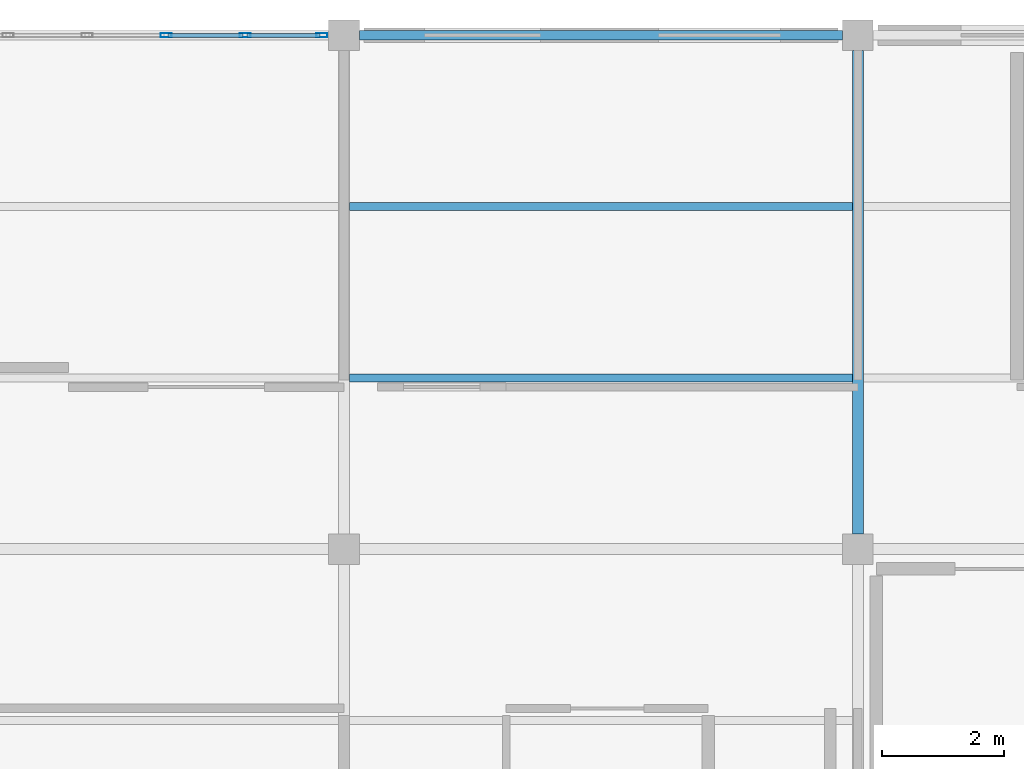
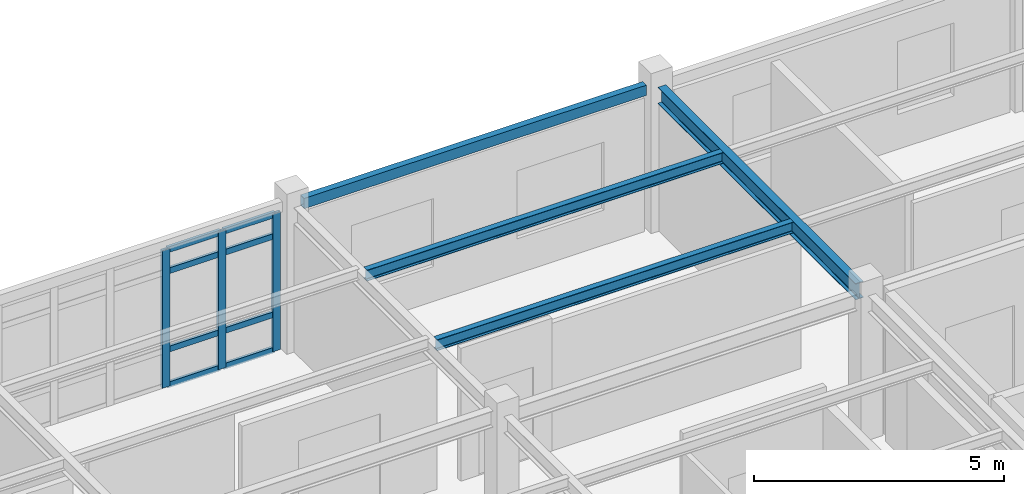
# One storey, part 23 of 53: 11 members, 4 beams, 1 element without a shape of its own.
"""IFC4 building model written with IfcOpenShell, lengths in metres."""

from ifc_helpers import new_model, si_unit, direction, frame, origin, origin_2d, place, context, subcontext, project, spatial, hollow_rectangle, i_section, extrude, material, layer, layer_set, material_profile, profile_set, type_object, element, aggregate, save


model = new_model("IFC4")

# Units and contexts
model_context = context("Model", 3, precision=1e-05, world=origin(), true_north=direction((0.0, 1.0)))
body_context = subcontext(model_context, "Body", "Model", "MODEL_VIEW")
ifc_project = project(units=[si_unit("LENGTHUNIT", "METRE"), si_unit("AREAUNIT", "SQUARE_METRE"), si_unit("VOLUMEUNIT", "CUBIC_METRE"), si_unit("PLANEANGLEUNIT", "RADIAN"), si_unit("MASSUNIT", "GRAM", prefix="KILO")], contexts=[model_context])

# Site, building, storey
site_placement = place(None, origin())
site = spatial("IfcSite", under=ifc_project, at=site_placement, CompositionType="ELEMENT")
building_placement = place(site_placement, origin())
building = spatial("IfcBuilding", under=site, at=building_placement, Name="Bramfleet General Hospital", CompositionType="ELEMENT")
storey_placement = place(building_placement, frame((0.0, 0.0, 26.39990234375)))
storey = spatial("IfcBuildingStorey", under=building, at=storey_placement, Name="L06", CompositionType="ELEMENT", Elevation=26.39990234375)

# Beams
ifc_material_1 = material(Name="Steel S355", Category="steel")
ifc_material_profile_1 = material_profile(ifc_material_1, i_section(OverallWidth=0.135009765625, OverallDepth=0.27001953125, WebThickness=0.006591796875, FlangeThickness=0.01025390625, FilletRadius=0.014892578125, at=origin_2d()), Name="IPE 270")
ifc_profile_set_1 = profile_set([ifc_material_profile_1], Name="Steel S355")
beam_type_1 = type_object("IfcBeamType", Name="BM-IPE270", PredefinedType="JOIST", material=ifc_profile_set_1)
for number, where, z_axis, x_axis, name in (
    (1, (126.090087890625, 112.0, 3.385009765625), (1.0, 0.0, 0.0), (0.0, 1.0, 0.0), "L06 Secondary Joist 15-13-1"),
    (2, (126.090087890625, 114.800048828125, 3.385009765625), (1.0, 0.0, 0.0), (0.0, 1.0, 0.0), "L06 Secondary Joist 15-13-2"),
):
    element("IfcBeam", number, at=place(storey_placement, frame(where, z_axis=z_axis, x_axis=x_axis)), inside=storey, type_object=beam_type_1, Name=name, PredefinedType="JOIST", context=body_context, shape_type="SweptSolid", body=[
        extrude(i_section(OverallWidth=0.135009765625, OverallDepth=0.27001953125, WebThickness=0.006591796875, FlangeThickness=0.01025390625, FilletRadius=0.014892578125, at=origin_2d()), origin(), (0.0, 0.0, 1.0), 8.219970703125),
    ])
ifc_material_profile_2 = material_profile(ifc_material_1, i_section(OverallWidth=0.179931640625, OverallDepth=0.39990234375, WebThickness=0.008544921875, FlangeThickness=0.013427734375, FilletRadius=0.02099609375, at=origin_2d()), Name="IPE 400")
ifc_profile_set_2 = profile_set([ifc_material_profile_2], Name="Steel S355")
beam_type_2 = type_object("IfcBeamType", Name="BM-IPE400", PredefinedType="BEAM", material=ifc_profile_set_2)
beam_1_placement = place(storey_placement, frame((134.39990234375, 109.449951171875, 3.320068359375), z_axis=(0.0, 1.0, 0.0), x_axis=(-1.0, 0.0, 0.0)))
element("IfcBeam", 3, at=beam_1_placement, inside=storey, type_object=beam_type_2, Name="L06 Grid Beam Y 16-13", PredefinedType="BEAM", context=body_context, shape_type="SweptSolid", body=[
    extrude(i_section(OverallWidth=0.179931640625, OverallDepth=0.39990234375, WebThickness=0.008544921875, FlangeThickness=0.013427734375, FilletRadius=0.02099609375, at=origin_2d()), origin(), (0.0, 0.0, 1.0), 7.900146484375),
])
ifc_material_profile_3 = material_profile(ifc_material_1, hollow_rectangle(XDim=0.14990234375, YDim=0.25, WallThickness=0.010009765625, at=origin_2d()), Name="RHS 250x150x10.0")
ifc_profile_set_3 = profile_set([ifc_material_profile_3], Name="Steel S355")
beam_type_3 = type_object("IfcBeamType", Name="BM-RHS250", PredefinedType="SPANDREL", material=ifc_profile_set_3)
beam_2_placement = place(storey_placement, frame((126.25, 117.60009765625, 3.39501953125), z_axis=(1.0, 0.0, 0.0), x_axis=(0.0, 1.0, 0.0)))
element("IfcBeam", 4, at=beam_2_placement, inside=storey, type_object=beam_type_3, Name="L06 Grid Beam X 15-14", PredefinedType="SPANDREL", context=body_context, shape_type="SweptSolid", body=[
    extrude(hollow_rectangle(XDim=0.14990234375, YDim=0.25, WallThickness=0.010009765625, at=origin_2d()), origin(), (0.0, 0.0, 1.0), 7.89990234375),
])

# Curtain wall, members
ifc_material_2 = material(Name="Anodised aluminium and low-E triple glazing", Category="aluminium")
ifc_layer = layer(ifc_material_2, 0.179931640625, Name="CWT-CW-17")
ifc_layer_set = layer_set([ifc_layer], Name="Anodised aluminium and low-E triple glazing")
curtain_wall_type = type_object("IfcCurtainWallType", Name="CWT-CW-17", PredefinedType="USERDEFINED", material=ifc_layer_set)
curtain_wall_placement = place(storey_placement, origin())
curtain_wall = element("IfcCurtainWall", 5, at=curtain_wall_placement, inside=storey, type_object=curtain_wall_type, Name="L06 Curtain Wall 215", ObjectType="Stick curtain wall", PredefinedType="USERDEFINED")
ifc_material_3 = material(Name="Anodised aluminium EN AW-6060", Category="aluminium")
ifc_material_profile_4 = material_profile(ifc_material_3, hollow_rectangle(XDim=0.070068359375, YDim=0.179931640625, WallThickness=0.00390625, at=origin_2d()), Name="ALU 180x70x4.0")
ifc_profile_set_4 = profile_set([ifc_material_profile_4], Name="Anodised aluminium EN AW-6060")
member_type_1 = type_object("IfcMemberType", Name="CWM-ALU180", PredefinedType="MULLION", material=ifc_profile_set_4)
member_1_placement = place(storey_placement, frame((123.091552734375, 117.60009765625, 0.0), z_axis=(0.0, 0.0, 1.0), x_axis=(0.0, 1.0, 0.0)))
member_1 = element("IfcMember", 6, at=member_1_placement, type_object=member_type_1, Name="CW-17 mullion 5", PredefinedType="MULLION", context=body_context, shape_type="SweptSolid", body=[
    extrude(hollow_rectangle(XDim=0.070068359375, YDim=0.179931640625, WallThickness=0.00390625, at=origin_2d()), origin(), (0.0, 0.0, 1.0), 3.360107421875),
])
member_2_placement = place(storey_placement, frame((124.38330078125, 117.60009765625, 0.0), z_axis=(0.0, 0.0, 1.0), x_axis=(0.0, 1.0, 0.0)))
member_2 = element("IfcMember", 7, at=member_2_placement, type_object=member_type_1, Name="CW-17 mullion 6", PredefinedType="MULLION", context=body_context, shape_type="SweptSolid", body=[
    extrude(hollow_rectangle(XDim=0.070068359375, YDim=0.179931640625, WallThickness=0.00390625, at=origin_2d()), origin(), (0.0, 0.0, 1.0), 3.360107421875),
])
member_3_placement = place(storey_placement, frame((125.639892578125, 117.60009765625, 0.0), z_axis=(0.0, 0.0, 1.0), x_axis=(0.0, 1.0, 0.0)))
member_3 = element("IfcMember", 8, at=member_3_placement, type_object=member_type_1, Name="CW-17 mullion 7", PredefinedType="MULLION", context=body_context, shape_type="SweptSolid", body=[
    extrude(hollow_rectangle(XDim=0.070068359375, YDim=0.179931640625, WallThickness=0.00390625, at=origin_2d()), origin(), (0.0, 0.0, 1.0), 3.360107421875),
])
ifc_material_profile_5 = material_profile(ifc_material_3, hollow_rectangle(XDim=0.06494140625, YDim=0.139892578125, WallThickness=0.00390625, at=origin_2d()), Name="ALU 140x65x4.0")
ifc_profile_set_5 = profile_set([ifc_material_profile_5], Name="Anodised aluminium EN AW-6060")
member_type_2 = type_object("IfcMemberType", Name="CWT-ALU140", PredefinedType="USERDEFINED", material=ifc_profile_set_5)
member_4_placement = place(storey_placement, frame((123.126708984375, 117.60009765625, 0.03271484375), z_axis=(1.0, 0.0, 0.0), x_axis=(0.0, 1.0, 0.0)))
member_4 = element("IfcMember", 9, at=member_4_placement, type_object=member_type_2, Name="CW-17 transom 5.1", ObjectType="TRANSOM", PredefinedType="USERDEFINED", context=body_context, shape_type="SweptSolid", body=[
    extrude(hollow_rectangle(XDim=0.06494140625, YDim=0.139892578125, WallThickness=0.00390625, at=origin_2d()), origin(), (0.0, 0.0, 1.0), 1.2216796875),
])
member_5_placement = place(storey_placement, frame((123.126708984375, 117.60009765625, 0.900146484375), z_axis=(1.0, 0.0, 0.0), x_axis=(0.0, 1.0, 0.0)))
member_5 = element("IfcMember", 10, at=member_5_placement, type_object=member_type_2, Name="CW-17 transom 5.2", ObjectType="TRANSOM", PredefinedType="USERDEFINED", context=body_context, shape_type="SweptSolid", body=[
    extrude(hollow_rectangle(XDim=0.06494140625, YDim=0.139892578125, WallThickness=0.00390625, at=origin_2d()), origin(), (0.0, 0.0, 1.0), 1.2216796875),
])
member_6_placement = place(storey_placement, frame((123.126708984375, 117.60009765625, 2.81005859375), z_axis=(1.0, 0.0, 0.0), x_axis=(0.0, 1.0, 0.0)))
member_6 = element("IfcMember", 11, at=member_6_placement, type_object=member_type_2, Name="CW-17 transom 5.3", ObjectType="TRANSOM", PredefinedType="USERDEFINED", context=body_context, shape_type="SweptSolid", body=[
    extrude(hollow_rectangle(XDim=0.06494140625, YDim=0.139892578125, WallThickness=0.00390625, at=origin_2d()), origin(), (0.0, 0.0, 1.0), 1.2216796875),
])
member_7_placement = place(storey_placement, frame((123.126708984375, 117.60009765625, 3.32763671875), z_axis=(1.0, 0.0, 0.0), x_axis=(0.0, 1.0, 0.0)))
member_7 = element("IfcMember", 12, at=member_7_placement, type_object=member_type_2, Name="CW-17 transom 5.4", ObjectType="TRANSOM", PredefinedType="USERDEFINED", context=body_context, shape_type="SweptSolid", body=[
    extrude(hollow_rectangle(XDim=0.06494140625, YDim=0.139892578125, WallThickness=0.00390625, at=origin_2d()), origin(), (0.0, 0.0, 1.0), 1.2216796875),
])
member_8_placement = place(storey_placement, frame((124.418212890625, 117.60009765625, 0.03271484375), z_axis=(1.0, 0.0, 0.0), x_axis=(0.0, 1.0, 0.0)))
member_8 = element("IfcMember", 13, at=member_8_placement, type_object=member_type_2, Name="CW-17 transom 6.1", ObjectType="TRANSOM", PredefinedType="USERDEFINED", context=body_context, shape_type="SweptSolid", body=[
    extrude(hollow_rectangle(XDim=0.06494140625, YDim=0.139892578125, WallThickness=0.00390625, at=origin_2d()), origin(), (0.0, 0.0, 1.0), 1.186767578125),
])
member_9_placement = place(storey_placement, frame((124.418212890625, 117.60009765625, 0.900146484375), z_axis=(1.0, 0.0, 0.0), x_axis=(0.0, 1.0, 0.0)))
member_9 = element("IfcMember", 14, at=member_9_placement, type_object=member_type_2, Name="CW-17 transom 6.2", ObjectType="TRANSOM", PredefinedType="USERDEFINED", context=body_context, shape_type="SweptSolid", body=[
    extrude(hollow_rectangle(XDim=0.06494140625, YDim=0.139892578125, WallThickness=0.00390625, at=origin_2d()), origin(), (0.0, 0.0, 1.0), 1.186767578125),
])
member_10_placement = place(storey_placement, frame((124.418212890625, 117.60009765625, 2.81005859375), z_axis=(1.0, 0.0, 0.0), x_axis=(0.0, 1.0, 0.0)))
member_10 = element("IfcMember", 15, at=member_10_placement, type_object=member_type_2, Name="CW-17 transom 6.3", ObjectType="TRANSOM", PredefinedType="USERDEFINED", context=body_context, shape_type="SweptSolid", body=[
    extrude(hollow_rectangle(XDim=0.06494140625, YDim=0.139892578125, WallThickness=0.00390625, at=origin_2d()), origin(), (0.0, 0.0, 1.0), 1.186767578125),
])
member_11_placement = place(storey_placement, frame((124.418212890625, 117.60009765625, 3.32763671875), z_axis=(1.0, 0.0, 0.0), x_axis=(0.0, 1.0, 0.0)))
member_11 = element("IfcMember", 16, at=member_11_placement, type_object=member_type_2, Name="CW-17 transom 6.4", ObjectType="TRANSOM", PredefinedType="USERDEFINED", context=body_context, shape_type="SweptSolid", body=[
    extrude(hollow_rectangle(XDim=0.06494140625, YDim=0.139892578125, WallThickness=0.00390625, at=origin_2d()), origin(), (0.0, 0.0, 1.0), 1.186767578125),
])
aggregate(curtain_wall, [member_1, member_2, member_3, member_4, member_5, member_6, member_7, member_8, member_9, member_10, member_11])

save(model, "model.ifc")
